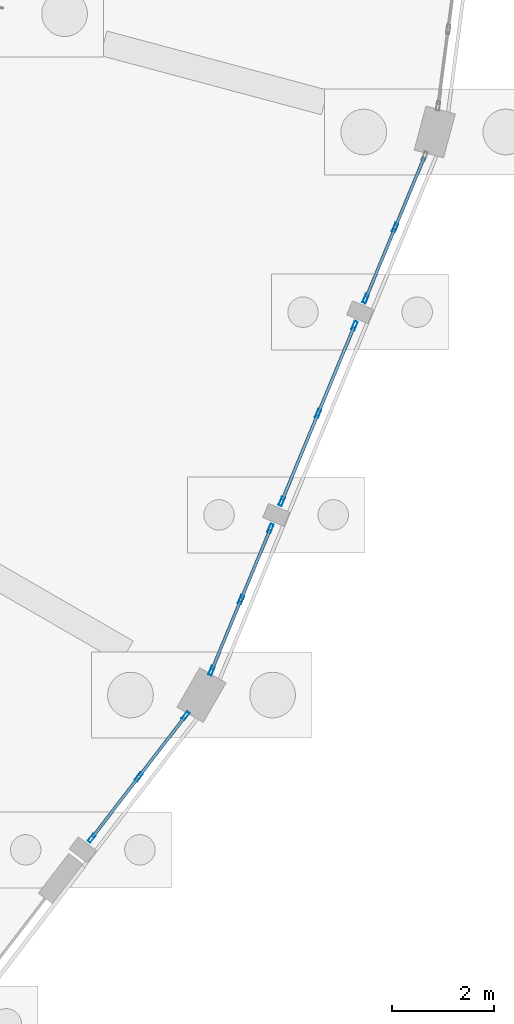
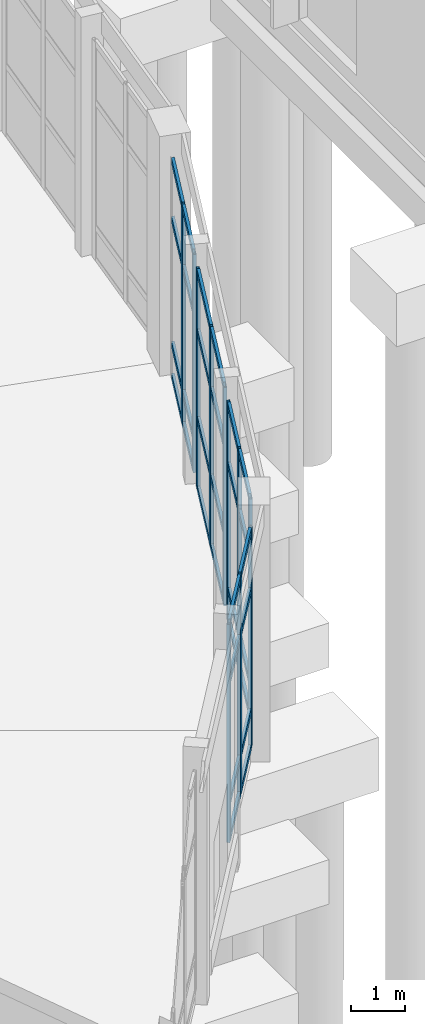
# One storey, part 71 of 137: 43 members, 4 elements without a shape of their own.
"""IFC4 building model written with IfcOpenShell, lengths in metres."""

from ifc_helpers import new_model, si_unit, direction, frame, origin, origin_2d, place, context, subcontext, project, spatial, hollow_rectangle, extrude, material, material_profile, profile_set, type_object, element, aggregate, save


model = new_model("IFC4")

# Units and contexts
model_context = context("Model", 3, precision=1e-05, world=origin(), true_north=direction((0.0, 1.0)))
body_context = subcontext(model_context, "Body", "Model", "MODEL_VIEW")
ifc_project = project(units=[si_unit("LENGTHUNIT", "METRE"), si_unit("AREAUNIT", "SQUARE_METRE"), si_unit("VOLUMEUNIT", "CUBIC_METRE"), si_unit("PLANEANGLEUNIT", "RADIAN"), si_unit("MASSUNIT", "GRAM", prefix="KILO")], contexts=[model_context])

# Site, building, storey
site_placement = place(None, origin())
site = spatial("IfcSite", under=ifc_project, at=site_placement, CompositionType="ELEMENT")
building_placement = place(site_placement, origin())
building = spatial("IfcBuilding", under=site, at=building_placement, Name="Vondelvale Polytechnic", CompositionType="ELEMENT")
storey_placement = place(building_placement, origin())
storey = spatial("IfcBuildingStorey", under=building, at=storey_placement, Name="L00", CompositionType="ELEMENT", Elevation=0.0)

# Curtain wall, members
ifc_material_1 = material(Name="Glulam GL18 structural Tasmanian oak (fb = 42 MPa)", Category="wood")
curtain_wall_type = type_object("IfcCurtainWallType", Name="CW-RING-OUTER", PredefinedType="NOTDEFINED", material=ifc_material_1)
curtain_wall_1_placement = place(storey_placement, origin())
curtain_wall_1 = element("IfcCurtainWall", 1, at=curtain_wall_1_placement, inside=storey, type_object=curtain_wall_type, Name="L00 architectural curtain wall CW-04-350", PredefinedType="NOTDEFINED")
ifc_material_2 = material(Name="Anodised extruded aluminium 6063-T6", Category="aluminium")
ifc_material_profile_1 = material_profile(ifc_material_2, hollow_rectangle(XDim=0.06494140625, YDim=0.179931640625, WallThickness=0.00390625, at=origin_2d()), Name="CW-MUL-180x65")
ifc_profile_set_1 = profile_set([ifc_material_profile_1], Name="Anodised extruded aluminium 6063-T6")
member_type_1 = type_object("IfcMemberType", Name="CW-MUL-65x180", PredefinedType="MULLION", material=ifc_profile_set_1)
member_1_placement = place(storey_placement, frame((139.6728515625, 46.179443359375, 0.0), z_axis=(0.0, 0.0, 1.0), x_axis=(-0.793351666305, 0.608763610584, 0.0)))
member_1 = element("IfcMember", 2, at=member_1_placement, type_object=member_type_1, Name="CW-04-350 mullion 1", PredefinedType="MULLION", context=body_context, shape_type="SweptSolid", body=[
    extrude(hollow_rectangle(XDim=0.06494140625, YDim=0.179931640625, WallThickness=0.00390625, at=origin_2d()), origin(), (0.0, 0.0, 1.0), 4.919921875),
])
member_2_placement = place(storey_placement, frame((140.597900390625, 47.384765625, 0.0), z_axis=(0.0, 0.0, 1.0), x_axis=(-0.793351666305, 0.608763610584, 0.0)))
member_2 = element("IfcMember", 3, at=member_2_placement, type_object=member_type_1, Name="CW-04-350 mullion 2", PredefinedType="MULLION", context=body_context, shape_type="SweptSolid", body=[
    extrude(hollow_rectangle(XDim=0.06494140625, YDim=0.179931640625, WallThickness=0.00390625, at=origin_2d()), origin(), (0.0, 0.0, 1.0), 4.919921875),
])
member_3_placement = place(storey_placement, frame((141.522705078125, 48.59033203125, 0.0), z_axis=(0.0, 0.0, 1.0), x_axis=(-0.793351666305, 0.608763610584, 0.0)))
member_3 = element("IfcMember", 4, at=member_3_placement, type_object=member_type_1, Name="CW-04-350 mullion 3", PredefinedType="MULLION", context=body_context, shape_type="SweptSolid", body=[
    extrude(hollow_rectangle(XDim=0.06494140625, YDim=0.179931640625, WallThickness=0.00390625, at=origin_2d()), origin(), (0.0, 0.0, 1.0), 4.919921875),
])

curtain_wall_2_placement = place(storey_placement, origin())
curtain_wall_2 = element("IfcCurtainWall", 5, at=curtain_wall_2_placement, inside=storey, type_object=curtain_wall_type, Name="L00 architectural curtain wall CW-04-359", PredefinedType="NOTDEFINED")
member_4_placement = place(storey_placement, frame((142.034912109375, 49.477294921875, 0.0), z_axis=(0.0, 0.0, 1.0), x_axis=(-0.92388135159, 0.382679040691, 0.0)))
member_4 = element("IfcMember", 6, at=member_4_placement, type_object=member_type_1, Name="CW-04-359 mullion 1", PredefinedType="MULLION", context=body_context, shape_type="SweptSolid", body=[
    extrude(hollow_rectangle(XDim=0.06494140625, YDim=0.179931640625, WallThickness=0.00390625, at=origin_2d()), origin(), (0.0, 0.0, 1.0), 4.919921875),
])
member_5_placement = place(storey_placement, frame((142.6162109375, 50.880859375, 0.0), z_axis=(0.0, 0.0, 1.0), x_axis=(-0.92388135159, 0.382679040691, 0.0)))
member_5 = element("IfcMember", 7, at=member_5_placement, type_object=member_type_1, Name="CW-04-359 mullion 2", PredefinedType="MULLION", context=body_context, shape_type="SweptSolid", body=[
    extrude(hollow_rectangle(XDim=0.06494140625, YDim=0.179931640625, WallThickness=0.00390625, at=origin_2d()), origin(), (0.0, 0.0, 1.0), 4.919921875),
])
member_6_placement = place(storey_placement, frame((143.19775390625, 52.28466796875, 0.0), z_axis=(0.0, 0.0, 1.0), x_axis=(-0.92388135159, 0.382679040691, 0.0)))
member_6 = element("IfcMember", 8, at=member_6_placement, type_object=member_type_1, Name="CW-04-359 mullion 3", PredefinedType="MULLION", context=body_context, shape_type="SweptSolid", body=[
    extrude(hollow_rectangle(XDim=0.06494140625, YDim=0.179931640625, WallThickness=0.00390625, at=origin_2d()), origin(), (0.0, 0.0, 1.0), 4.919921875),
])

curtain_wall_3_placement = place(storey_placement, origin())
curtain_wall_3 = element("IfcCurtainWall", 9, at=curtain_wall_3_placement, inside=storey, type_object=curtain_wall_type, Name="L00 architectural curtain wall CW-04-360", PredefinedType="NOTDEFINED")
member_7_placement = place(storey_placement, frame((143.417724609375, 52.81591796875, 0.0), z_axis=(0.0, 0.0, 1.0), x_axis=(-0.92387490701, 0.382694599123, 0.0)))
member_7 = element("IfcMember", 10, at=member_7_placement, type_object=member_type_1, Name="CW-04-360 mullion 1", PredefinedType="MULLION", context=body_context, shape_type="SweptSolid", body=[
    extrude(hollow_rectangle(XDim=0.06494140625, YDim=0.179931640625, WallThickness=0.00390625, at=origin_2d()), origin(), (0.0, 0.0, 1.0), 4.919921875),
])
member_8_placement = place(storey_placement, frame((144.135009765625, 54.547119140625, 0.0), z_axis=(0.0, 0.0, 1.0), x_axis=(-0.92387490701, 0.382694599123, 0.0)))
member_8 = element("IfcMember", 11, at=member_8_placement, type_object=member_type_1, Name="CW-04-360 mullion 2", PredefinedType="MULLION", context=body_context, shape_type="SweptSolid", body=[
    extrude(hollow_rectangle(XDim=0.06494140625, YDim=0.179931640625, WallThickness=0.00390625, at=origin_2d()), origin(), (0.0, 0.0, 1.0), 4.919921875),
])
member_9_placement = place(storey_placement, frame((144.85205078125, 56.278564453125, 0.0), z_axis=(0.0, 0.0, 1.0), x_axis=(-0.92387490701, 0.382694599123, 0.0)))
member_9 = element("IfcMember", 12, at=member_9_placement, type_object=member_type_1, Name="CW-04-360 mullion 3", PredefinedType="MULLION", context=body_context, shape_type="SweptSolid", body=[
    extrude(hollow_rectangle(XDim=0.06494140625, YDim=0.179931640625, WallThickness=0.00390625, at=origin_2d()), origin(), (0.0, 0.0, 1.0), 4.919921875),
])

curtain_wall_4_placement = place(storey_placement, origin())
curtain_wall_4 = element("IfcCurtainWall", 13, at=curtain_wall_4_placement, inside=storey, type_object=curtain_wall_type, Name="L00 architectural curtain wall CW-04-361", PredefinedType="NOTDEFINED")
member_10_placement = place(storey_placement, frame((145.072021484375, 56.809814453125, 0.0), z_axis=(0.0, 0.0, 1.0), x_axis=(-0.92388135159, 0.382679040691, 0.0)))
member_10 = element("IfcMember", 14, at=member_10_placement, type_object=member_type_1, Name="CW-04-361 mullion 1", PredefinedType="MULLION", context=body_context, shape_type="SweptSolid", body=[
    extrude(hollow_rectangle(XDim=0.06494140625, YDim=0.179931640625, WallThickness=0.00390625, at=origin_2d()), origin(), (0.0, 0.0, 1.0), 4.919921875),
])
member_11_placement = place(storey_placement, frame((145.653564453125, 58.21337890625, 0.0), z_axis=(0.0, 0.0, 1.0), x_axis=(-0.92388135159, 0.382679040691, 0.0)))
member_11 = element("IfcMember", 15, at=member_11_placement, type_object=member_type_1, Name="CW-04-361 mullion 2", PredefinedType="MULLION", context=body_context, shape_type="SweptSolid", body=[
    extrude(hollow_rectangle(XDim=0.06494140625, YDim=0.179931640625, WallThickness=0.00390625, at=origin_2d()), origin(), (0.0, 0.0, 1.0), 4.919921875),
])

# Member
ifc_material_profile_2 = material_profile(ifc_material_2, hollow_rectangle(XDim=0.06005859375, YDim=0.139892578125, WallThickness=0.00341796875, at=origin_2d()), Name="CW-TRN-140x60")
ifc_profile_set_2 = profile_set([ifc_material_profile_2], Name="Anodised extruded aluminium 6063-T6")
member_type_2 = type_object("IfcMemberType", Name="CW-TRN-60x140", PredefinedType="USERDEFINED", material=ifc_profile_set_2)
member_12_placement = place(storey_placement, frame((139.692626953125, 46.205322265625, 0.030029296875), z_axis=(0.608826155387, 0.793303669799, 0.0), x_axis=(-0.793303669799, 0.608826155387, 0.0)))
member_12 = element("IfcMember", 16, at=member_12_placement, type_object=member_type_2, Name="CW-04-350 transom 1.1", ObjectType="TRANSOM", PredefinedType="USERDEFINED", context=body_context, shape_type="SweptSolid", body=[
    extrude(hollow_rectangle(XDim=0.06005859375, YDim=0.139892578125, WallThickness=0.00341796875, at=origin_2d()), origin(), (0.0, 0.0, 1.0), 1.454345703125),
])

member_13_placement = place(storey_placement, frame((139.692626953125, 46.205322265625, 0.85009765625), z_axis=(0.608826155387, 0.793303669799, 0.0), x_axis=(-0.793303669799, 0.608826155387, 0.0)))
member_13 = element("IfcMember", 17, at=member_13_placement, type_object=member_type_2, Name="CW-04-350 transom 1.2", ObjectType="TRANSOM", PredefinedType="USERDEFINED", context=body_context, shape_type="SweptSolid", body=[
    extrude(hollow_rectangle(XDim=0.06005859375, YDim=0.139892578125, WallThickness=0.00341796875, at=origin_2d()), origin(), (0.0, 0.0, 1.0), 1.454345703125),
])

member_14_placement = place(storey_placement, frame((139.692626953125, 46.205322265625, 3.570068359375), z_axis=(0.608826155387, 0.793303669799, 0.0), x_axis=(-0.793303669799, 0.608826155387, 0.0)))
member_14 = element("IfcMember", 18, at=member_14_placement, type_object=member_type_2, Name="CW-04-350 transom 1.3", ObjectType="TRANSOM", PredefinedType="USERDEFINED", context=body_context, shape_type="SweptSolid", body=[
    extrude(hollow_rectangle(XDim=0.06005859375, YDim=0.139892578125, WallThickness=0.00341796875, at=origin_2d()), origin(), (0.0, 0.0, 1.0), 1.454345703125),
])

member_15_placement = place(storey_placement, frame((139.692626953125, 46.205322265625, 4.889892578125), z_axis=(0.608826155387, 0.793303669799, 0.0), x_axis=(-0.793303669799, 0.608826155387, 0.0)))
member_15 = element("IfcMember", 19, at=member_15_placement, type_object=member_type_2, Name="CW-04-350 transom 1.4", ObjectType="TRANSOM", PredefinedType="USERDEFINED", context=body_context, shape_type="SweptSolid", body=[
    extrude(hollow_rectangle(XDim=0.06005859375, YDim=0.139892578125, WallThickness=0.00341796875, at=origin_2d()), origin(), (0.0, 0.0, 1.0), 1.454345703125),
])

member_16_placement = place(storey_placement, frame((140.61767578125, 47.41064453125, 0.030029296875), z_axis=(0.608720500097, 0.793384744473, 0.0), x_axis=(-0.793384744473, 0.608720500097, 0.0)))
member_16 = element("IfcMember", 20, at=member_16_placement, type_object=member_type_2, Name="CW-04-350 transom 2.1", ObjectType="TRANSOM", PredefinedType="USERDEFINED", context=body_context, shape_type="SweptSolid", body=[
    extrude(hollow_rectangle(XDim=0.06005859375, YDim=0.139892578125, WallThickness=0.00341796875, at=origin_2d()), origin(), (0.0, 0.0, 1.0), 1.454345703125),
])

member_17_placement = place(storey_placement, frame((140.61767578125, 47.41064453125, 0.85009765625), z_axis=(0.608720500097, 0.793384744473, 0.0), x_axis=(-0.793384744473, 0.608720500097, 0.0)))
member_17 = element("IfcMember", 21, at=member_17_placement, type_object=member_type_2, Name="CW-04-350 transom 2.2", ObjectType="TRANSOM", PredefinedType="USERDEFINED", context=body_context, shape_type="SweptSolid", body=[
    extrude(hollow_rectangle(XDim=0.06005859375, YDim=0.139892578125, WallThickness=0.00341796875, at=origin_2d()), origin(), (0.0, 0.0, 1.0), 1.454345703125),
])

member_18_placement = place(storey_placement, frame((140.61767578125, 47.41064453125, 3.570068359375), z_axis=(0.608720500097, 0.793384744473, 0.0), x_axis=(-0.793384744473, 0.608720500097, 0.0)))
member_18 = element("IfcMember", 22, at=member_18_placement, type_object=member_type_2, Name="CW-04-350 transom 2.3", ObjectType="TRANSOM", PredefinedType="USERDEFINED", context=body_context, shape_type="SweptSolid", body=[
    extrude(hollow_rectangle(XDim=0.06005859375, YDim=0.139892578125, WallThickness=0.00341796875, at=origin_2d()), origin(), (0.0, 0.0, 1.0), 1.454345703125),
])

member_19_placement = place(storey_placement, frame((140.61767578125, 47.41064453125, 4.889892578125), z_axis=(0.608720500097, 0.793384744473, 0.0), x_axis=(-0.793384744473, 0.608720500097, 0.0)))
member_19 = element("IfcMember", 23, at=member_19_placement, type_object=member_type_2, Name="CW-04-350 transom 2.4", ObjectType="TRANSOM", PredefinedType="USERDEFINED", context=body_context, shape_type="SweptSolid", body=[
    extrude(hollow_rectangle(XDim=0.06005859375, YDim=0.139892578125, WallThickness=0.00341796875, at=origin_2d()), origin(), (0.0, 0.0, 1.0), 1.454345703125),
])

aggregate(curtain_wall_1, [member_1, member_2, member_3, member_12, member_13, member_14, member_15, member_16, member_17, member_18, member_19])

member_20_placement = place(storey_placement, frame((142.04736328125, 49.50732421875, 0.030029296875), z_axis=(0.38262364032, 0.92390429692, 0.0), x_axis=(-0.92390429692, 0.38262364032, 0.0)))
member_20 = element("IfcMember", 24, at=member_20_placement, type_object=member_type_2, Name="CW-04-359 transom 1.1", ObjectType="TRANSOM", PredefinedType="USERDEFINED", context=body_context, shape_type="SweptSolid", body=[
    extrude(hollow_rectangle(XDim=0.06005859375, YDim=0.139892578125, WallThickness=0.00341796875, at=origin_2d()), origin(), (0.0, 0.0, 1.0), 1.4541015625),
])

member_21_placement = place(storey_placement, frame((142.04736328125, 49.50732421875, 0.75), z_axis=(0.38262364032, 0.92390429692, 0.0), x_axis=(-0.92390429692, 0.38262364032, 0.0)))
member_21 = element("IfcMember", 25, at=member_21_placement, type_object=member_type_2, Name="CW-04-359 transom 1.2", ObjectType="TRANSOM", PredefinedType="USERDEFINED", context=body_context, shape_type="SweptSolid", body=[
    extrude(hollow_rectangle(XDim=0.06005859375, YDim=0.139892578125, WallThickness=0.00341796875, at=origin_2d()), origin(), (0.0, 0.0, 1.0), 1.4541015625),
])

member_22_placement = place(storey_placement, frame((142.04736328125, 49.50732421875, 3.570068359375), z_axis=(0.38262364032, 0.92390429692, 0.0), x_axis=(-0.92390429692, 0.38262364032, 0.0)))
member_22 = element("IfcMember", 26, at=member_22_placement, type_object=member_type_2, Name="CW-04-359 transom 1.3", ObjectType="TRANSOM", PredefinedType="USERDEFINED", context=body_context, shape_type="SweptSolid", body=[
    extrude(hollow_rectangle(XDim=0.06005859375, YDim=0.139892578125, WallThickness=0.00341796875, at=origin_2d()), origin(), (0.0, 0.0, 1.0), 1.4541015625),
])

member_23_placement = place(storey_placement, frame((142.04736328125, 49.50732421875, 4.889892578125), z_axis=(0.38262364032, 0.92390429692, 0.0), x_axis=(-0.92390429692, 0.38262364032, 0.0)))
member_23 = element("IfcMember", 27, at=member_23_placement, type_object=member_type_2, Name="CW-04-359 transom 1.4", ObjectType="TRANSOM", PredefinedType="USERDEFINED", context=body_context, shape_type="SweptSolid", body=[
    extrude(hollow_rectangle(XDim=0.06005859375, YDim=0.139892578125, WallThickness=0.00341796875, at=origin_2d()), origin(), (0.0, 0.0, 1.0), 1.4541015625),
])

member_24_placement = place(storey_placement, frame((142.628662109375, 50.910888671875, 0.030029296875), z_axis=(0.382707581205, 0.923869529365, 0.0), x_axis=(-0.923869529365, 0.382707581205, 0.0)))
member_24 = element("IfcMember", 28, at=member_24_placement, type_object=member_type_2, Name="CW-04-359 transom 2.1", ObjectType="TRANSOM", PredefinedType="USERDEFINED", context=body_context, shape_type="SweptSolid", body=[
    extrude(hollow_rectangle(XDim=0.06005859375, YDim=0.139892578125, WallThickness=0.00341796875, at=origin_2d()), origin(), (0.0, 0.0, 1.0), 1.45458984375),
])

member_25_placement = place(storey_placement, frame((142.628662109375, 50.910888671875, 0.75), z_axis=(0.382707581205, 0.923869529365, 0.0), x_axis=(-0.923869529365, 0.382707581205, 0.0)))
member_25 = element("IfcMember", 29, at=member_25_placement, type_object=member_type_2, Name="CW-04-359 transom 2.2", ObjectType="TRANSOM", PredefinedType="USERDEFINED", context=body_context, shape_type="SweptSolid", body=[
    extrude(hollow_rectangle(XDim=0.06005859375, YDim=0.139892578125, WallThickness=0.00341796875, at=origin_2d()), origin(), (0.0, 0.0, 1.0), 1.45458984375),
])

member_26_placement = place(storey_placement, frame((142.628662109375, 50.910888671875, 3.570068359375), z_axis=(0.382707581205, 0.923869529365, 0.0), x_axis=(-0.923869529365, 0.382707581205, 0.0)))
member_26 = element("IfcMember", 30, at=member_26_placement, type_object=member_type_2, Name="CW-04-359 transom 2.3", ObjectType="TRANSOM", PredefinedType="USERDEFINED", context=body_context, shape_type="SweptSolid", body=[
    extrude(hollow_rectangle(XDim=0.06005859375, YDim=0.139892578125, WallThickness=0.00341796875, at=origin_2d()), origin(), (0.0, 0.0, 1.0), 1.45458984375),
])

member_27_placement = place(storey_placement, frame((142.628662109375, 50.910888671875, 4.889892578125), z_axis=(0.382707581205, 0.923869529365, 0.0), x_axis=(-0.923869529365, 0.382707581205, 0.0)))
member_27 = element("IfcMember", 31, at=member_27_placement, type_object=member_type_2, Name="CW-04-359 transom 2.4", ObjectType="TRANSOM", PredefinedType="USERDEFINED", context=body_context, shape_type="SweptSolid", body=[
    extrude(hollow_rectangle(XDim=0.06005859375, YDim=0.139892578125, WallThickness=0.00341796875, at=origin_2d()), origin(), (0.0, 0.0, 1.0), 1.45458984375),
])

aggregate(curtain_wall_2, [member_4, member_5, member_6, member_20, member_21, member_22, member_23, member_24, member_25, member_26, member_27])

member_28_placement = place(storey_placement, frame((143.43017578125, 52.845947265625, 0.030029296875), z_axis=(0.382765012338, 0.92384573676, 0.0), x_axis=(-0.92384573676, 0.382765012338, 0.0)))
member_28 = element("IfcMember", 32, at=member_28_placement, type_object=member_type_2, Name="CW-04-360 transom 1.1", ObjectType="TRANSOM", PredefinedType="USERDEFINED", context=body_context, shape_type="SweptSolid", body=[
    extrude(hollow_rectangle(XDim=0.06005859375, YDim=0.139892578125, WallThickness=0.00341796875, at=origin_2d()), origin(), (0.0, 0.0, 1.0), 1.808837890625),
])

member_29_placement = place(storey_placement, frame((143.43017578125, 52.845947265625, 1.60009765625), z_axis=(0.382765012338, 0.92384573676, 0.0), x_axis=(-0.92384573676, 0.382765012338, 0.0)))
member_29 = element("IfcMember", 33, at=member_29_placement, type_object=member_type_2, Name="CW-04-360 transom 1.2", ObjectType="TRANSOM", PredefinedType="USERDEFINED", context=body_context, shape_type="SweptSolid", body=[
    extrude(hollow_rectangle(XDim=0.06005859375, YDim=0.139892578125, WallThickness=0.00341796875, at=origin_2d()), origin(), (0.0, 0.0, 1.0), 1.808837890625),
])

member_30_placement = place(storey_placement, frame((143.43017578125, 52.845947265625, 3.570068359375), z_axis=(0.382765012338, 0.92384573676, 0.0), x_axis=(-0.92384573676, 0.382765012338, 0.0)))
member_30 = element("IfcMember", 34, at=member_30_placement, type_object=member_type_2, Name="CW-04-360 transom 1.3", ObjectType="TRANSOM", PredefinedType="USERDEFINED", context=body_context, shape_type="SweptSolid", body=[
    extrude(hollow_rectangle(XDim=0.06005859375, YDim=0.139892578125, WallThickness=0.00341796875, at=origin_2d()), origin(), (0.0, 0.0, 1.0), 1.808837890625),
])

member_31_placement = place(storey_placement, frame((143.43017578125, 52.845947265625, 4.889892578125), z_axis=(0.382765012338, 0.92384573676, 0.0), x_axis=(-0.92384573676, 0.382765012338, 0.0)))
member_31 = element("IfcMember", 35, at=member_31_placement, type_object=member_type_2, Name="CW-04-360 transom 1.4", ObjectType="TRANSOM", PredefinedType="USERDEFINED", context=body_context, shape_type="SweptSolid", body=[
    extrude(hollow_rectangle(XDim=0.06005859375, YDim=0.139892578125, WallThickness=0.00341796875, at=origin_2d()), origin(), (0.0, 0.0, 1.0), 1.808837890625),
])

member_32_placement = place(storey_placement, frame((144.147216796875, 54.5771484375, 0.030029296875), z_axis=(0.382717291485, 0.923865506878, 0.0), x_axis=(-0.923865506878, 0.382717291485, 0.0)))
member_32 = element("IfcMember", 36, at=member_32_placement, type_object=member_type_2, Name="CW-04-360 transom 2.1", ObjectType="TRANSOM", PredefinedType="USERDEFINED", context=body_context, shape_type="SweptSolid", body=[
    extrude(hollow_rectangle(XDim=0.06005859375, YDim=0.139892578125, WallThickness=0.00341796875, at=origin_2d()), origin(), (0.0, 0.0, 1.0), 1.80908203125),
])

member_33_placement = place(storey_placement, frame((144.147216796875, 54.5771484375, 1.60009765625), z_axis=(0.382717291485, 0.923865506878, 0.0), x_axis=(-0.923865506878, 0.382717291485, 0.0)))
member_33 = element("IfcMember", 37, at=member_33_placement, type_object=member_type_2, Name="CW-04-360 transom 2.2", ObjectType="TRANSOM", PredefinedType="USERDEFINED", context=body_context, shape_type="SweptSolid", body=[
    extrude(hollow_rectangle(XDim=0.06005859375, YDim=0.139892578125, WallThickness=0.00341796875, at=origin_2d()), origin(), (0.0, 0.0, 1.0), 1.80908203125),
])

member_34_placement = place(storey_placement, frame((144.147216796875, 54.5771484375, 3.570068359375), z_axis=(0.382717291485, 0.923865506878, 0.0), x_axis=(-0.923865506878, 0.382717291485, 0.0)))
member_34 = element("IfcMember", 38, at=member_34_placement, type_object=member_type_2, Name="CW-04-360 transom 2.3", ObjectType="TRANSOM", PredefinedType="USERDEFINED", context=body_context, shape_type="SweptSolid", body=[
    extrude(hollow_rectangle(XDim=0.06005859375, YDim=0.139892578125, WallThickness=0.00341796875, at=origin_2d()), origin(), (0.0, 0.0, 1.0), 1.80908203125),
])

member_35_placement = place(storey_placement, frame((144.147216796875, 54.5771484375, 4.889892578125), z_axis=(0.382717291485, 0.923865506878, 0.0), x_axis=(-0.923865506878, 0.382717291485, 0.0)))
member_35 = element("IfcMember", 39, at=member_35_placement, type_object=member_type_2, Name="CW-04-360 transom 2.4", ObjectType="TRANSOM", PredefinedType="USERDEFINED", context=body_context, shape_type="SweptSolid", body=[
    extrude(hollow_rectangle(XDim=0.06005859375, YDim=0.139892578125, WallThickness=0.00341796875, at=origin_2d()), origin(), (0.0, 0.0, 1.0), 1.80908203125),
])

aggregate(curtain_wall_3, [member_7, member_8, member_9, member_28, member_29, member_30, member_31, member_32, member_33, member_34, member_35])

member_36_placement = place(storey_placement, frame((145.08447265625, 56.83984375, 0.030029296875), z_axis=(0.382766938144, 0.923844938863, 0.0), x_axis=(-0.923844938863, 0.382766938144, 0.0)))
member_36 = element("IfcMember", 40, at=member_36_placement, type_object=member_type_2, Name="CW-04-361 transom 1.1", ObjectType="TRANSOM", PredefinedType="USERDEFINED", context=body_context, shape_type="SweptSolid", body=[
    extrude(hollow_rectangle(XDim=0.06005859375, YDim=0.139892578125, WallThickness=0.00341796875, at=origin_2d()), origin(), (0.0, 0.0, 1.0), 1.454345703125),
])

member_37_placement = place(storey_placement, frame((145.08447265625, 56.83984375, 0.75), z_axis=(0.382766938144, 0.923844938863, 0.0), x_axis=(-0.923844938863, 0.382766938144, 0.0)))
member_37 = element("IfcMember", 41, at=member_37_placement, type_object=member_type_2, Name="CW-04-361 transom 1.2", ObjectType="TRANSOM", PredefinedType="USERDEFINED", context=body_context, shape_type="SweptSolid", body=[
    extrude(hollow_rectangle(XDim=0.06005859375, YDim=0.139892578125, WallThickness=0.00341796875, at=origin_2d()), origin(), (0.0, 0.0, 1.0), 1.454345703125),
])

member_38_placement = place(storey_placement, frame((145.08447265625, 56.83984375, 3.570068359375), z_axis=(0.382766938144, 0.923844938863, 0.0), x_axis=(-0.923844938863, 0.382766938144, 0.0)))
member_38 = element("IfcMember", 42, at=member_38_placement, type_object=member_type_2, Name="CW-04-361 transom 1.3", ObjectType="TRANSOM", PredefinedType="USERDEFINED", context=body_context, shape_type="SweptSolid", body=[
    extrude(hollow_rectangle(XDim=0.06005859375, YDim=0.139892578125, WallThickness=0.00341796875, at=origin_2d()), origin(), (0.0, 0.0, 1.0), 1.454345703125),
])

member_39_placement = place(storey_placement, frame((145.08447265625, 56.83984375, 4.889892578125), z_axis=(0.382766938144, 0.923844938863, 0.0), x_axis=(-0.923844938863, 0.382766938144, 0.0)))
member_39 = element("IfcMember", 43, at=member_39_placement, type_object=member_type_2, Name="CW-04-361 transom 1.4", ObjectType="TRANSOM", PredefinedType="USERDEFINED", context=body_context, shape_type="SweptSolid", body=[
    extrude(hollow_rectangle(XDim=0.06005859375, YDim=0.139892578125, WallThickness=0.00341796875, at=origin_2d()), origin(), (0.0, 0.0, 1.0), 1.454345703125),
])

member_40_placement = place(storey_placement, frame((145.666015625, 58.243408203125, 0.030029296875), z_axis=(0.382564297979, 0.923928870591, 0.0), x_axis=(-0.923928870591, 0.382564297979, 0.0)))
member_40 = element("IfcMember", 44, at=member_40_placement, type_object=member_type_2, Name="CW-04-361 transom 2.1", ObjectType="TRANSOM", PredefinedType="USERDEFINED", context=body_context, shape_type="SweptSolid", body=[
    extrude(hollow_rectangle(XDim=0.06005859375, YDim=0.139892578125, WallThickness=0.00341796875, at=origin_2d()), origin(), (0.0, 0.0, 1.0), 1.454345703125),
])

member_41_placement = place(storey_placement, frame((145.666015625, 58.243408203125, 0.75), z_axis=(0.382564297979, 0.923928870591, 0.0), x_axis=(-0.923928870591, 0.382564297979, 0.0)))
member_41 = element("IfcMember", 45, at=member_41_placement, type_object=member_type_2, Name="CW-04-361 transom 2.2", ObjectType="TRANSOM", PredefinedType="USERDEFINED", context=body_context, shape_type="SweptSolid", body=[
    extrude(hollow_rectangle(XDim=0.06005859375, YDim=0.139892578125, WallThickness=0.00341796875, at=origin_2d()), origin(), (0.0, 0.0, 1.0), 1.454345703125),
])

member_42_placement = place(storey_placement, frame((145.666015625, 58.243408203125, 3.570068359375), z_axis=(0.382564297979, 0.923928870591, 0.0), x_axis=(-0.923928870591, 0.382564297979, 0.0)))
member_42 = element("IfcMember", 46, at=member_42_placement, type_object=member_type_2, Name="CW-04-361 transom 2.3", ObjectType="TRANSOM", PredefinedType="USERDEFINED", context=body_context, shape_type="SweptSolid", body=[
    extrude(hollow_rectangle(XDim=0.06005859375, YDim=0.139892578125, WallThickness=0.00341796875, at=origin_2d()), origin(), (0.0, 0.0, 1.0), 1.454345703125),
])

member_43_placement = place(storey_placement, frame((145.666015625, 58.243408203125, 4.889892578125), z_axis=(0.382564297979, 0.923928870591, 0.0), x_axis=(-0.923928870591, 0.382564297979, 0.0)))
member_43 = element("IfcMember", 47, at=member_43_placement, type_object=member_type_2, Name="CW-04-361 transom 2.4", ObjectType="TRANSOM", PredefinedType="USERDEFINED", context=body_context, shape_type="SweptSolid", body=[
    extrude(hollow_rectangle(XDim=0.06005859375, YDim=0.139892578125, WallThickness=0.00341796875, at=origin_2d()), origin(), (0.0, 0.0, 1.0), 1.454345703125),
])

aggregate(curtain_wall_4, [member_10, member_11, member_36, member_37, member_38, member_39, member_40, member_41, member_42, member_43])

save(model, "model.ifc")
